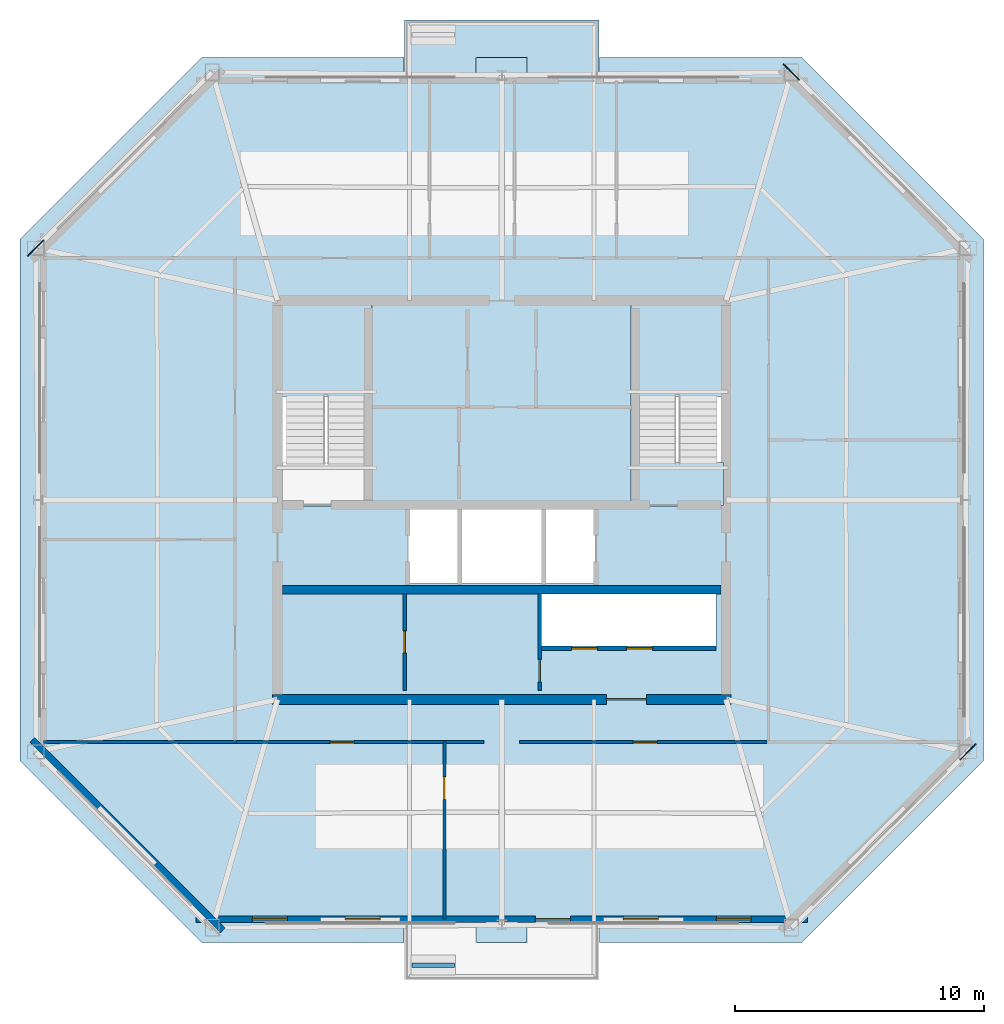
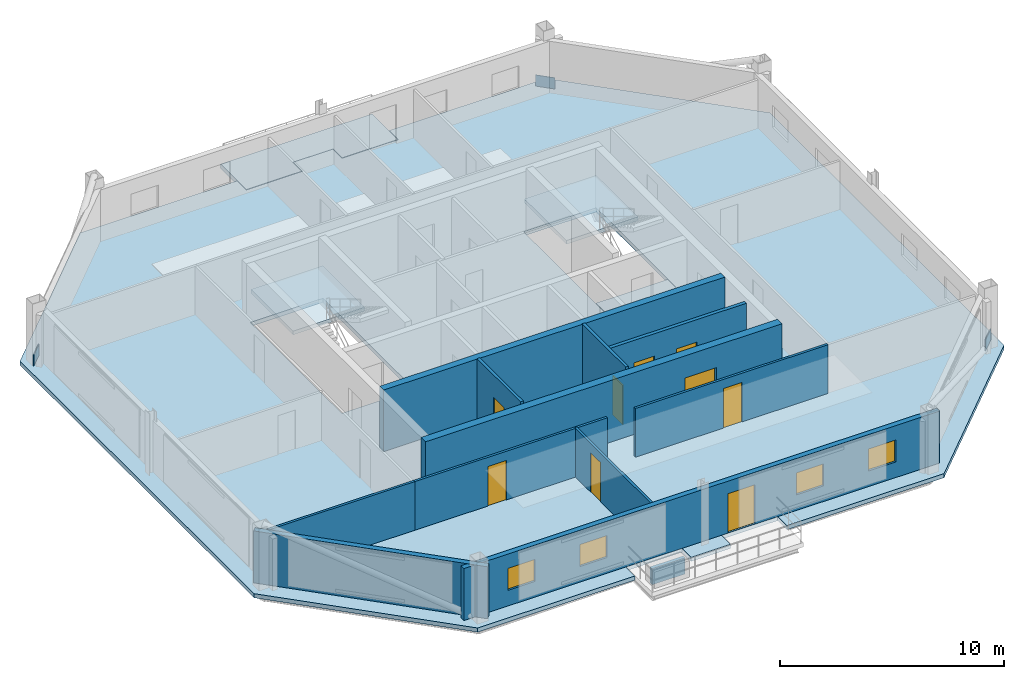
# One storey, part 2 of 7: 12 walls, 9 doors, 5 slabs, 4 windows, 3 plates, 13 openings, 2 elements without a shape of their own.
"""IFC4 building model written with IfcOpenShell, lengths in metres."""

from ifc_helpers import new_model, si_unit, direction, frame, frame_2d, origin, origin_2d, place, context, subcontext, project, spatial, polyline, rectangle, outline, extrude, material, layer, layer_set, type_object, element, fill, aggregate, save


model = new_model("IFC4")

# Units and contexts
model_context = context("Model", 3, precision=1e-05, world=origin(), true_north=direction((0.0, 1.0)))
body_context = subcontext(model_context, "Body", "Model", "MODEL_VIEW")
ifc_project = project(units=[si_unit("LENGTHUNIT", "METRE"), si_unit("AREAUNIT", "SQUARE_METRE"), si_unit("VOLUMEUNIT", "CUBIC_METRE"), si_unit("PLANEANGLEUNIT", "RADIAN"), si_unit("MASSUNIT", "GRAM", prefix="KILO")], contexts=[model_context])

# Site, building, storey
site_placement = place(None, origin())
site = spatial("IfcSite", under=ifc_project, at=site_placement, CompositionType="ELEMENT")
building_placement = place(site_placement, origin())
building = spatial("IfcBuilding", under=site, at=building_placement, Name="Caelvoria Tower", CompositionType="ELEMENT")
storey_placement = place(building_placement, frame((0.0, 0.0, 253.800048828125)))
storey = spatial("IfcBuildingStorey", under=building, at=storey_placement, Name="L67", CompositionType="ELEMENT", Elevation=253.800048828125)

# Plates
ifc_material_1 = material(Name="Structural Steel ASTM A572 Gr.50", Category="steel")
ifc_layer_1 = layer(ifc_material_1, 0.0400390625, Name="Structural Steel ASTM A572 Gr.50")
ifc_layer_set_1 = layer_set([ifc_layer_1], Name="Megaframe Node Gusset Plate 900x600x40 - Structural Steel ASTM A572 Gr.50")
plate_type = type_object("IfcPlateType", Name="Megaframe Node Gusset Plate 900x600x40", PredefinedType="USERDEFINED", material=ifc_layer_set_1)
for number, where, z_axis, x_axis, name in (
    (1, (64.702880859375, 21.887939453125, 0.02001953125), (0.0, 0.0, 1.0), (-0.708311501653, -0.705900004693, 0.0), "Chamfer Mega Brace Gusset L67 SE"),
    (2, (57.62353515625, 49.16748046875, 0.02001953125), (0.0, 0.0, 1.0), (0.708311501653, -0.705900004693, 0.0), "Chamfer Mega Brace Gusset L67 NE"),
    (3, (27.297119140625, 42.112060546875, 0.02001953125), (0.0, 0.0, 1.0), (0.708311501653, 0.705900004693, 0.0), "Chamfer Mega Brace Gusset L67 NW"),
):
    element("IfcPlate", number, at=place(storey_placement, frame(where, z_axis=z_axis, x_axis=x_axis)), inside=storey, type_object=plate_type, Name=name, ObjectType="GUSSET_PLATE", PredefinedType="USERDEFINED", context=body_context, shape_type="SweptSolid", body=[
        extrude(rectangle(XDim=0.89990234375, YDim=0.0400390625, at=origin_2d()), origin(), (0.0, 0.0, 1.0), 0.60009765625),
    ])

# Stair, slab
ifc_material_2 = material(Name="Concrete C40/50", Category="concrete")
stair_type = type_object("IfcStairType", Name="Core Smokeproof Dogleg Stair Concrete C40/50", PredefinedType="HALF_TURN_STAIR", material=ifc_material_2)
stair_1_placement = place(storey_placement, origin())
stair_1 = element("IfcStair", 4, at=stair_1_placement, inside=storey, type_object=stair_type, Name="ST-01 Smokeproof Exit Stair L67", PredefinedType="HALF_TURN_STAIR")
ifc_layer_2 = layer(ifc_material_2, 0.199951171875, Name="Concrete C40/50")
ifc_layer_set_2 = layer_set([ifc_layer_2], Name="Stair Half and Floor Landing Slab 200 Concrete C40/50 - Concrete C40/50")
slab_type_1 = type_object("IfcSlabType", Name="Stair Half and Floor Landing Slab 200 Concrete C40/50", PredefinedType="LANDING", material=ifc_layer_set_2)
slab_1_placement = place(storey_placement, frame((0.0, 0.0, 1.599853515625)))
slab_1 = element("IfcSlab", 5, at=slab_1_placement, type_object=slab_type_1, Name="ST-01 landing 2", PredefinedType="LANDING", context=body_context, shape_type="SweptSolid", body=[
    extrude(outline(polyline([(37.10009765625, 36.14990234375), (40.800048828125, 36.14990234375), (40.800048828125, 39.89990234375), (37.10009765625, 39.89990234375), (37.10009765625, 36.14990234375)])), origin(), (0.0, 0.0, 1.0), 0.2001953125),
])
aggregate(stair_1, [slab_1])

# Stair, slabs
stair_2_placement = place(storey_placement, origin())
stair_2 = element("IfcStair", 6, at=stair_2_placement, inside=storey, type_object=stair_type, Name="ST-02 Smokeproof Exit Stair L67", PredefinedType="HALF_TURN_STAIR")
slab_2_placement = place(storey_placement, frame((0.0, 0.0, -0.199951171875)))
slab_2 = element("IfcSlab", 7, at=slab_2_placement, type_object=slab_type_1, Name="ST-02 landing 1", PredefinedType="LANDING", context=body_context, shape_type="SweptSolid", body=[
    extrude(outline(polyline([(51.199951171875, 31.77001953125), (54.89990234375, 31.77001953125), (54.89990234375, 33.5), (51.199951171875, 33.5), (51.199951171875, 31.77001953125)])), origin(), (0.0, 0.0, 1.0), 0.199951171875),
])
slab_3_placement = place(storey_placement, frame((0.0, 0.0, 1.599853515625)))
slab_3 = element("IfcSlab", 8, at=slab_3_placement, type_object=slab_type_1, Name="ST-02 landing 2", PredefinedType="LANDING", context=body_context, shape_type="SweptSolid", body=[
    extrude(outline(polyline([(51.199951171875, 36.14990234375), (54.89990234375, 36.14990234375), (54.89990234375, 39.89990234375), (51.199951171875, 39.89990234375), (51.199951171875, 36.14990234375)])), origin(), (0.0, 0.0, 1.0), 0.2001953125),
])
aggregate(stair_2, [slab_2, slab_3])

# Slabs
ifc_material_3 = material(Name="Concrete C45/55", Category="concrete")
ifc_layer_3 = layer(ifc_material_3, 0.25, Name="Concrete C45/55")
ifc_layer_set_3 = layer_set([ifc_layer_3], Name="Tree Balcony Structural Planter Slab 250 - Concrete C45/55")
slab_type_2 = type_object("IfcSlabType", Name="Tree Balcony Structural Planter Slab 250", PredefinedType="FLOOR", material=ifc_layer_set_3)
slab_4_placement = place(storey_placement, frame((0.0, 0.0, -0.25)))
element("IfcSlab", 9, at=slab_4_placement, inside=storey, type_object=slab_type_2, Name="Tree Balcony Slab TB-L67-N", PredefinedType="FLOOR", context=body_context, shape_type="SweptSolid", body=[
    extrude(outline(polyline([(42.10009765625, 51.263671875), (42.10009765625, 49.763671875), (42.10009765625, 48.963623046875), (44.9599609375, 48.963623046875), (44.9599609375, 49.763671875), (47.0400390625, 49.763671875), (47.0400390625, 48.963623046875), (49.89990234375, 48.963623046875), (49.89990234375, 49.763671875), (49.89990234375, 51.263671875), (42.10009765625, 51.263671875)])), origin(), (0.0, 0.0, 1.0), 0.25),
])
ifc_layer_4 = layer(ifc_material_2, 0.22509765625, Name="Concrete C40/50")
ifc_layer_set_4 = layer_set([ifc_layer_4], Name="Upper Tower Composite Office Slab 225 - Concrete C40/50")
slab_type_3 = type_object("IfcSlabType", Name="Upper Tower Composite Office Slab 225", PredefinedType="FLOOR", material=ifc_layer_set_4)
slab_5_placement = place(storey_placement, frame((0.0, 0.0, -0.22509765625)))
element("IfcSlab", 10, at=slab_5_placement, inside=storey, type_object=slab_type_3, Name="Level L67 Structural Floor Slab", PredefinedType="FLOOR", context=body_context, shape_type="SweptSolid", body=[
    extrude(outline(polyline([(26.66357421875, 42.45458984375), (26.66357421875, 21.54541015625), (33.97265625, 14.236328125), (42.080078125, 14.236328125), (42.080078125, 15.056396484375), (44.97998046875, 15.056396484375), (44.97998046875, 14.236328125), (47.02001953125, 14.236328125), (47.02001953125, 15.056396484375), (49.919921875, 15.056396484375), (49.919921875, 14.236328125), (58.02734375, 14.236328125), (65.33642578125, 21.54541015625), (65.33642578125, 42.45458984375), (58.02734375, 49.763671875), (49.919921875, 49.763671875), (49.919921875, 48.943603515625), (47.02001953125, 48.943603515625), (47.02001953125, 49.763671875), (44.97998046875, 49.763671875), (44.97998046875, 48.943603515625), (42.080078125, 48.943603515625), (42.080078125, 49.763671875), (33.97265625, 49.763671875), (26.66357421875, 42.45458984375)]), holes=[polyline([(37.080078125, 31.75), (40.820068359375, 31.75), (40.820068359375, 39.919921875), (37.080078125, 39.919921875), (37.080078125, 31.75)]), polyline([(51.179931640625, 31.75), (54.919921875, 31.75), (54.919921875, 39.919921875), (51.179931640625, 39.919921875), (51.179931640625, 31.75)]), polyline([(42.25, 28.64990234375), (49.75, 28.64990234375), (49.75, 31.800048828125), (42.25, 31.800048828125), (42.25, 28.64990234375)]), polyline([(47.60009765625, 26.14990234375), (54.60009765625, 26.14990234375), (54.60009765625, 28.25), (47.60009765625, 28.25), (47.60009765625, 26.14990234375)])]), origin(), (0.0, 0.0, 1.0), 0.22509765625),
])

# Walls
ifc_material_4 = material(Name="Bronze-Clad Concrete C40/50", Category="concrete")
ifc_layer_5 = layer(ifc_material_4, 0.179931640625, Name="Bronze-Clad Concrete C40/50")
ifc_layer_set_5 = layer_set([ifc_layer_5], Name="Architectural Planter Kerb Wall 180 - Bronze-Clad Concrete C40/50")
wall_type_1 = type_object("IfcWallType", Name="Architectural Planter Kerb Wall 180", PredefinedType="PARAPET", material=ifc_layer_set_5)
wall_1_placement = place(storey_placement, frame((42.39990234375, 13.33642578125, 0.0), z_axis=(0.0, 0.0, 1.0), x_axis=(1.0, 0.0, 0.0)))
element("IfcWall", 11, at=wall_1_placement, inside=storey, type_object=wall_type_1, Name="Tree Balcony Planter Kerb PLANTER TB-L67-S", PredefinedType="PARAPET", context=body_context, shape_type="SweptSolid", body=[
    extrude(rectangle(XDim=1.7001953125, YDim=0.179931640625, at=frame_2d((0.85009765625, 0.0))), origin(), (0.0, 0.0, 1.0), 0.8798828125),
])
ifc_material_5 = material(Name="Concrete C50/60", Category="concrete")
ifc_layer_6 = layer(ifc_material_5, 0.35009765625, Name="Concrete C50/60")
ifc_layer_set_6 = layer_set([ifc_layer_6], Name="Core Internal Shear Wall 350 - Concrete C50/60")
wall_type_2 = type_object("IfcWallType", Name="Core Internal Shear Wall 350", PredefinedType="SHEAR", material=ifc_layer_set_6)
wall_2_placement = place(storey_placement, frame((37.199951171875, 28.39990234375, 0.0), z_axis=(0.0, 0.0, 1.0), x_axis=(1.0, 0.0, 0.0)))
element("IfcWall", 12, at=wall_2_placement, inside=storey, type_object=wall_type_2, Name="Core Shear Wall L67 M2", PredefinedType="SHEAR", context=body_context, shape_type="SweptSolid", body=[
    extrude(rectangle(XDim=17.60009765625, YDim=0.35009765625, at=frame_2d((8.800048828125, 0.0))), origin(), (0.0, 0.0, 1.0), 3.35986328125),
])

# Wall, opening, door
ifc_material_6 = material(Name="Double Gypsum Board on Steel Stud", Category="steel")
ifc_layer_7 = layer(ifc_material_6, 0.14990234375, Name="Double Gypsum Board on Steel Stud")
ifc_layer_set_7 = layer_set([ifc_layer_7], Name="Core Service Acoustic Partition Wall 150 - Double Gypsum Board on Steel Stud")
wall_type_3 = type_object("IfcWallType", Name="Core Service Acoustic Partition Wall 150", PredefinedType="PARTITIONING", material=ifc_layer_set_7)
wall_3_placement = place(storey_placement, frame((42.10009765625, 24.35009765625, 0.0), z_axis=(0.0, 0.0, 1.0), x_axis=(0.0, 1.0, 0.0)))
wall_3 = element("IfcWall", 13, at=wall_3_placement, inside=storey, type_object=wall_type_3, Name="Interior Partition IW-L67-RECL-MID", PredefinedType="PARTITIONING", context=body_context, shape_type="SweptSolid", body=[
    extrude(rectangle(XDim=3.89990234375, YDim=0.14990234375, at=frame_2d((1.949951171875, 0.0))), origin(), (0.0, 0.0, 1.0), 3.375),
])
opening_1_placement = place(wall_3_placement, frame((1.5, 0.0, 0.0)))
opening_1 = element("IfcOpeningElement", 14, at=opening_1_placement, cuts=wall_3, Name="Opening ID-06", PredefinedType="OPENING", context=body_context, shape_type="SweptSolid", body=[
    extrude(rectangle(XDim=0.89990234375, YDim=2.14990234375, at=frame_2d((0.449951171875, 1.074951171875))), frame((0.0, 0.0849609375, 0.0), z_axis=(0.0, -1.0, 0.0), x_axis=(1.0, 0.0, 0.0)), (0.0, 0.0, 1.0), 0.169921875),
])
ifc_material_7 = material(Name="Engineered Andean Oak Veneer Door", Category="wood")
door_type_1 = type_object("IfcDoorType", Name="Interior Timber Door 900x2150", OperationType="NOTDEFINED", PredefinedType="DOOR", material=ifc_material_7)
door_1_placement = place(opening_1_placement, origin())
door_1 = element("IfcDoor", 15, at=door_1_placement, inside=storey, type_object=door_type_1, Name="Interior Door DR-L67-RECL12", OperationType="SINGLE_SWING_LEFT", OverallHeight=2.14990234375, OverallWidth=0.89990234375, PredefinedType="DOOR", context=body_context, shape_type="SweptSolid", body=[
    extrude(rectangle(XDim=0.89990234375, YDim=2.14990234375, at=frame_2d((0.449951171875, 1.074951171875))), frame((0.0, 0.02490234375, 0.0), z_axis=(0.0, -1.0, 0.0), x_axis=(1.0, 0.0, 0.0)), (0.0, 0.0, 1.0), 0.050048828125),
])
fill(opening_1, door_1)

wall_4_placement = place(storey_placement, frame((47.52001953125, 24.35009765625, 0.0), z_axis=(0.0, 0.0, 1.0), x_axis=(0.0, 1.0, 0.0)))
wall_4 = element("IfcWall", 16, at=wall_4_placement, inside=storey, type_object=wall_type_3, Name="Interior Partition IW-L67-RECL2E", PredefinedType="PARTITIONING", context=body_context, shape_type="SweptSolid", body=[
    extrude(rectangle(XDim=3.89990234375, YDim=0.14990234375, at=frame_2d((1.949951171875, 0.0))), origin(), (0.0, 0.0, 1.0), 3.375),
])
opening_2_placement = place(wall_4_placement, frame((0.35009765625, 0.0, 0.0)))
opening_2 = element("IfcOpeningElement", 17, at=opening_2_placement, cuts=wall_4, Name="Opening ID-04", PredefinedType="OPENING", context=body_context, shape_type="SweptSolid", body=[
    extrude(rectangle(XDim=0.89990234375, YDim=2.14990234375, at=frame_2d((0.449951171875, 1.074951171875))), frame((0.0, 0.0849609375, 0.0), z_axis=(0.0, -1.0, 0.0), x_axis=(1.0, 0.0, 0.0)), (0.0, 0.0, 1.0), 0.169921875),
])
ifc_material_8 = material(Name="Acoustic Timber Fire Door", Category="wood")
door_type_2 = type_object("IfcDoorType", Name="Fire Door FD30S 900x2150", OperationType="NOTDEFINED", PredefinedType="DOOR", material=ifc_material_8)
door_2_placement = place(opening_2_placement, origin())
door_2 = element("IfcDoor", 18, at=door_2_placement, inside=storey, type_object=door_type_2, Name="Interior Door DR-L67-RECL2", OperationType="SINGLE_SWING_RIGHT", OverallHeight=2.14990234375, OverallWidth=0.89990234375, PredefinedType="DOOR", context=body_context, shape_type="SweptSolid", body=[
    extrude(rectangle(XDim=0.89990234375, YDim=2.14990234375, at=frame_2d((0.449951171875, 1.074951171875))), frame((0.0, 0.02490234375, 0.0), z_axis=(0.0, -1.0, 0.0), x_axis=(1.0, 0.0, 0.0)), (0.0, 0.0, 1.0), 0.050048828125),
])
fill(opening_2, door_2)

# Wall, openings, doors
ifc_material_9 = material(Name="Concrete Block and Fireboard Assembly", Category="concrete")
ifc_layer_8 = layer(ifc_material_9, 0.179931640625, Name="Concrete Block and Fireboard Assembly")
ifc_layer_set_8 = layer_set([ifc_layer_8], Name="Fire-Rated Hoistway Partition Wall 180 - Concrete Block and Fireboard Assembly")
wall_type_4 = type_object("IfcWallType", Name="Fire-Rated Hoistway Partition Wall 180", PredefinedType="PARTITIONING", material=ifc_layer_set_8)
wall_5_placement = place(storey_placement, frame((47.60009765625, 26.050048828125, 0.0), z_axis=(0.0, 0.0, 1.0), x_axis=(1.0, 0.0, 0.0)))
wall_5 = element("IfcWall", 19, at=wall_5_placement, inside=storey, type_object=wall_type_4, Name="Interior Partition IW-L67-LFRONT", PredefinedType="PARTITIONING", context=body_context, shape_type="SweptSolid", body=[
    extrude(rectangle(XDim=7.0, YDim=0.179931640625, at=frame_2d((3.5, 0.0))), origin(), (0.0, 0.0, 1.0), 3.375),
])
opening_3_placement = place(wall_5_placement, frame((1.199951171875, 0.0, 0.0)))
opening_3 = element("IfcOpeningElement", 20, at=opening_3_placement, cuts=wall_5, Name="Opening LD-01", PredefinedType="OPENING", context=body_context, shape_type="SweptSolid", body=[
    extrude(rectangle(XDim=1.050048828125, YDim=2.14990234375, at=frame_2d((0.52490234375, 1.074951171875))), frame((0.0, 0.099853515625, 0.0), z_axis=(0.0, -1.0, 0.0), x_axis=(1.0, 0.0, 0.0)), (0.0, 0.0, 1.0), 0.199951171875),
])
opening_4_placement = place(wall_5_placement, frame((3.39990234375, 0.0, 0.0)))
opening_4 = element("IfcOpeningElement", 21, at=opening_4_placement, cuts=wall_5, Name="Opening LD-01", PredefinedType="OPENING", context=body_context, shape_type="SweptSolid", body=[
    extrude(rectangle(XDim=1.050048828125, YDim=2.14990234375, at=frame_2d((0.52490234375, 1.074951171875))), frame((0.0, 0.099853515625, 0.0), z_axis=(0.0, -1.0, 0.0), x_axis=(1.0, 0.0, 0.0)), (0.0, 0.0, 1.0), 0.199951171875),
])
ifc_material_10 = material(Name="Brushed Bronze Stainless Sliding Landing Door", Category="aluminium")
door_type_3 = type_object("IfcDoorType", Name="Lift Landing Sliding Door 1100x2150", OperationType="NOTDEFINED", PredefinedType="DOOR", material=ifc_material_10)
door_3_placement = place(opening_3_placement, origin())
door_3 = element("IfcDoor", 22, at=door_3_placement, inside=storey, type_object=door_type_3, Name="Interior Door LD-L67-PH1", OperationType="SLIDING_TO_LEFT", OverallHeight=2.14990234375, OverallWidth=1.050048828125, PredefinedType="DOOR", context=body_context, shape_type="SweptSolid", body=[
    extrude(rectangle(XDim=1.050048828125, YDim=2.14990234375, at=frame_2d((0.52490234375, 1.074951171875))), frame((0.0, 0.02490234375, 0.0), z_axis=(0.0, -1.0, 0.0), x_axis=(1.0, 0.0, 0.0)), (0.0, 0.0, 1.0), 0.050048828125),
])
fill(opening_3, door_3)
door_4_placement = place(opening_4_placement, origin())
door_4 = element("IfcDoor", 23, at=door_4_placement, inside=storey, type_object=door_type_3, Name="Interior Door LD-L67-PH2", OperationType="SLIDING_TO_RIGHT", OverallHeight=2.14990234375, OverallWidth=1.050048828125, PredefinedType="DOOR", context=body_context, shape_type="SweptSolid", body=[
    extrude(rectangle(XDim=1.050048828125, YDim=2.14990234375, at=frame_2d((0.52490234375, 1.074951171875))), frame((0.0, 0.02490234375, 0.0), z_axis=(0.0, -1.0, 0.0), x_axis=(1.0, 0.0, 0.0)), (0.0, 0.0, 1.0), 0.050048828125),
])
fill(opening_4, door_4)

# Wall, opening, door
ifc_layer_9 = layer(ifc_material_5, 0.39990234375, Name="Concrete C50/60")
ifc_layer_set_9 = layer_set([ifc_layer_9], Name="Summit Core Shear Wall 400 - Concrete C50/60")
wall_type_5 = type_object("IfcWallType", Name="Summit Core Shear Wall 400", PredefinedType="SHEAR", material=ifc_layer_set_9)
wall_6_placement = place(storey_placement, frame((36.800048828125, 24.0, 0.0), z_axis=(0.0, 0.0, 1.0), x_axis=(1.0, 0.0, 0.0)))
wall_6 = element("IfcWall", 24, at=wall_6_placement, inside=storey, type_object=wall_type_5, Name="Core Shear Wall L67 S", PredefinedType="SHEAR", context=body_context, shape_type="SweptSolid", body=[
    extrude(rectangle(XDim=18.39990234375, YDim=0.39990234375, at=frame_2d((9.199951171875, 0.0))), origin(), (0.0, 0.0, 1.0), 3.35986328125),
])
opening_5_placement = place(wall_6_placement, frame((13.39990234375, 0.0, 0.0)))
opening_5 = element("IfcOpeningElement", 25, at=opening_5_placement, cuts=wall_6, Name="Opening ID-08", PredefinedType="OPENING", context=body_context, shape_type="SweptSolid", body=[
    extrude(rectangle(XDim=1.60009765625, YDim=2.14990234375, at=frame_2d((0.800048828125, 1.074951171875))), frame((0.0, 0.2099609375, 0.0), z_axis=(0.0, -1.0, 0.0), x_axis=(1.0, 0.0, 0.0)), (0.0, 0.0, 1.0), 0.419921875),
])
ifc_material_11 = material(Name="Bronze-Framed Fire-Rated Glazed Double Door", Category="aluminium")
door_type_4 = type_object("IfcDoorType", Name="Double Lobby Glazed Door 1600x2200", OperationType="NOTDEFINED", PredefinedType="DOOR", material=ifc_material_11)
door_5_placement = place(opening_5_placement, origin())
door_5 = element("IfcDoor", 26, at=door_5_placement, inside=storey, type_object=door_type_4, Name="Core Door DR-L67-LLOB-S2", OperationType="DOUBLE_DOOR_SINGLE_SWING", OverallHeight=2.14990234375, OverallWidth=1.60009765625, PredefinedType="DOOR", context=body_context, shape_type="SweptSolid", body=[
    extrude(rectangle(XDim=1.60009765625, YDim=2.14990234375, at=frame_2d((0.800048828125, 1.074951171875))), frame((0.0, 0.02490234375, 0.0), z_axis=(0.0, -1.0, 0.0), x_axis=(1.0, 0.0, 0.0)), (0.0, 0.0, 1.0), 0.050048828125),
])
fill(opening_5, door_5)

ifc_material_12 = material(Name="Acoustic Gypsum Board on Light-Gauge Stud", Category="gypsum")
ifc_layer_10 = layer(ifc_material_12, 0.1201171875, Name="Acoustic Gypsum Board on Light-Gauge Stud")
ifc_layer_set_10 = layer_set([ifc_layer_10], Name="Tenant Suite Acoustic Partition Wall 120 - Acoustic Gypsum Board on Light-Gauge Stud")
wall_type_6 = type_object("IfcWallType", Name="Tenant Suite Acoustic Partition Wall 120", PredefinedType="PARTITIONING", material=ifc_layer_set_10)
wall_7_placement = place(storey_placement, frame((43.693115234375, 22.2900390625, 0.0), z_axis=(0.0, 0.0, 1.0), x_axis=(0.0, -1.0, 0.0)))
wall_7 = element("IfcWall", 27, at=wall_7_placement, inside=storey, type_object=wall_type_6, Name="Interior Partition IW-L67-SD-00-0", PredefinedType="PARTITIONING", context=body_context, shape_type="SweptSolid", body=[
    extrude(rectangle(XDim=7.113525390625, YDim=0.1201171875, at=frame_2d((3.556640625, 0.0))), origin(), (0.0, 0.0, 1.0), 2.655029296875),
])
opening_6_placement = place(wall_7_placement, frame((1.39990234375, 0.0, 0.0)))
opening_6 = element("IfcOpeningElement", 28, at=opening_6_placement, cuts=wall_7, Name="Opening ID-06", PredefinedType="OPENING", context=body_context, shape_type="SweptSolid", body=[
    extrude(rectangle(XDim=0.89990234375, YDim=2.14990234375, at=frame_2d((0.449951171875, 1.074951171875))), frame((0.0, 0.070068359375, 0.0), z_axis=(0.0, -1.0, 0.0), x_axis=(1.0, 0.0, 0.0)), (0.0, 0.0, 1.0), 0.14013671875),
])
door_6_placement = place(opening_6_placement, origin())
door_6 = element("IfcDoor", 29, at=door_6_placement, inside=storey, type_object=door_type_1, Name="Interior Door DR-L67-SM-00-0", OperationType="SINGLE_SWING_RIGHT", OverallHeight=2.14990234375, OverallWidth=0.89990234375, PredefinedType="DOOR", context=body_context, shape_type="SweptSolid", body=[
    extrude(rectangle(XDim=0.89990234375, YDim=2.14990234375, at=frame_2d((0.449951171875, 1.074951171875))), frame((0.0, 0.02490234375, 0.0), z_axis=(0.0, -1.0, 0.0), x_axis=(1.0, 0.0, 0.0)), (0.0, 0.0, 1.0), 0.050048828125),
])
fill(opening_6, door_6)

wall_8_placement = place(storey_placement, frame((35.35009765625, 22.2900390625, 0.0), z_axis=(0.0, 0.0, 1.0), x_axis=(1.0, 0.0, 0.0)))
wall_8 = element("IfcWall", 30, at=wall_8_placement, inside=storey, type_object=wall_type_6, Name="Interior Partition IW-L67-SCW-0", PredefinedType="PARTITIONING", context=body_context, shape_type="SweptSolid", body=[
    extrude(rectangle(XDim=9.929931640625, YDim=0.1201171875, at=frame_2d((4.96484375, 0.0))), origin(), (0.0, 0.0, 1.0), 2.655029296875),
])
opening_7_placement = place(wall_8_placement, frame((3.7666015625, 0.0, 0.0)))
opening_7 = element("IfcOpeningElement", 31, at=opening_7_placement, cuts=wall_8, Name="Opening ID-05", PredefinedType="OPENING", context=body_context, shape_type="SweptSolid", body=[
    extrude(rectangle(XDim=0.949951171875, YDim=2.14990234375, at=frame_2d((0.47509765625, 1.074951171875))), frame((0.0, 0.070068359375, 0.0), z_axis=(0.0, -1.0, 0.0), x_axis=(1.0, 0.0, 0.0)), (0.0, 0.0, 1.0), 0.14013671875),
])
door_type_5 = type_object("IfcDoorType", Name="Interior Timber Door 950x2150", OperationType="NOTDEFINED", PredefinedType="DOOR", material=ifc_material_7)
door_7_placement = place(opening_7_placement, origin())
door_7 = element("IfcDoor", 32, at=door_7_placement, inside=storey, type_object=door_type_5, Name="Interior Door DR-L67-SC-00-0", OperationType="SINGLE_SWING_RIGHT", OverallHeight=2.14990234375, OverallWidth=0.949951171875, PredefinedType="DOOR", context=body_context, shape_type="SweptSolid", body=[
    extrude(rectangle(XDim=0.949951171875, YDim=2.14990234375, at=frame_2d((0.47509765625, 1.074951171875))), frame((0.0, 0.02490234375, 0.0), z_axis=(0.0, -1.0, 0.0), x_axis=(1.0, 0.0, 0.0)), (0.0, 0.0, 1.0), 0.050048828125),
])
fill(opening_7, door_7)

wall_9_placement = place(storey_placement, frame((46.719970703125, 22.2900390625, 0.0), z_axis=(0.0, 0.0, 1.0), x_axis=(1.0, 0.0, 0.0)))
wall_9 = element("IfcWall", 33, at=wall_9_placement, inside=storey, type_object=wall_type_6, Name="Interior Partition IW-L67-SCW-1", PredefinedType="PARTITIONING", context=body_context, shape_type="SweptSolid", body=[
    extrude(rectangle(XDim=9.929931640625, YDim=0.1201171875, at=frame_2d((4.96484375, 0.0))), origin(), (0.0, 0.0, 1.0), 2.655029296875),
])
opening_8_placement = place(wall_9_placement, frame((4.554931640625, 0.0, 0.0)))
opening_8 = element("IfcOpeningElement", 34, at=opening_8_placement, cuts=wall_9, Name="Opening ID-05", PredefinedType="OPENING", context=body_context, shape_type="SweptSolid", body=[
    extrude(rectangle(XDim=0.949951171875, YDim=2.14990234375, at=frame_2d((0.47509765625, 1.074951171875))), frame((0.0, 0.070068359375, 0.0), z_axis=(0.0, -1.0, 0.0), x_axis=(1.0, 0.0, 0.0)), (0.0, 0.0, 1.0), 0.14013671875),
])
door_8_placement = place(opening_8_placement, origin())
door_8 = element("IfcDoor", 35, at=door_8_placement, inside=storey, type_object=door_type_5, Name="Interior Door DR-L67-SC-01-0", OperationType="SINGLE_SWING_LEFT", OverallHeight=2.14990234375, OverallWidth=0.949951171875, PredefinedType="DOOR", context=body_context, shape_type="SweptSolid", body=[
    extrude(rectangle(XDim=0.949951171875, YDim=2.14990234375, at=frame_2d((0.47509765625, 1.074951171875))), frame((0.0, 0.02490234375, 0.0), z_axis=(0.0, -1.0, 0.0), x_axis=(1.0, 0.0, 0.0)), (0.0, 0.0, 1.0), 0.050048828125),
])
fill(opening_8, door_8)

# Wall
wall_10_placement = place(storey_placement, frame((35.35009765625, 22.2900390625, 0.0), z_axis=(0.0, 0.0, 1.0), x_axis=(-1.0, 0.0, 0.0)))
element("IfcWall", 36, at=wall_10_placement, inside=storey, type_object=wall_type_6, Name="Interior Partition IW-L67-BSW-0", PredefinedType="PARTITIONING", context=body_context, shape_type="SweptSolid", body=[
    extrude(rectangle(XDim=7.74658203125, YDim=0.1201171875, at=frame_2d((3.873291015625, 0.0))), origin(), (0.0, 0.0, 1.0), 2.655029296875),
])

# Wall, openings, windows, door
ifc_material_13 = material(Name="Precast Concrete C40/50 with Bronze Cladding", Category="concrete")
ifc_layer_11 = layer(ifc_material_13, 0.264892578125, Name="Precast Concrete C40/50 with Bronze Cladding")
ifc_layer_set_11 = layer_set([ifc_layer_11], Name="Upper Taper Precast Concrete C40/50 Bronze Facade Wall 265 - Precast Concrete C40/50 with Bronze Cladding")
wall_type_7 = type_object("IfcWallType", Name="Upper Taper Precast Concrete C40/50 Bronze Facade Wall 265", PredefinedType="STANDARD", material=ifc_layer_set_11)
wall_11_placement = place(storey_placement, frame((33.732666015625, 15.176513671875, 0.0), z_axis=(0.0, 0.0, 1.0), x_axis=(1.0, 0.0, 0.0)))
wall_11 = element("IfcWall", 37, at=wall_11_placement, inside=storey, type_object=wall_type_7, Name="Exterior Facade Wall L67-E0", PredefinedType="STANDARD", context=body_context, shape_type="SweptSolid", body=[
    extrude(rectangle(XDim=24.53466796875, YDim=0.264892578125, at=frame_2d((12.267333984375, 0.0))), origin(), (0.0, 0.0, 1.0), 2.83203125),
])
opening_9_placement = place(wall_11_placement, frame((13.6171875, 0.0, 0.0)))
opening_9 = element("IfcOpeningElement", 38, at=opening_9_placement, cuts=wall_11, Name="Opening ED-04", PredefinedType="OPENING", context=body_context, shape_type="SweptSolid", body=[
    extrude(rectangle(XDim=1.39990234375, YDim=2.14990234375, at=frame_2d((0.699951171875, 1.074951171875))), frame((0.0, 0.142333984375, 0.0), z_axis=(0.0, -1.0, 0.0), x_axis=(1.0, 0.0, 0.0)), (0.0, 0.0, 1.0), 0.284912109375),
])
opening_10_placement = place(wall_11_placement, frame((2.26123046875, 0.0, 0.85009765625)))
opening_10 = element("IfcOpeningElement", 39, at=opening_10_placement, cuts=wall_11, Name="Opening WN-06", PredefinedType="OPENING", context=body_context, shape_type="SweptSolid", body=[
    extrude(rectangle(XDim=1.39990234375, YDim=1.199951171875, at=frame_2d((0.699951171875, 0.60009765625))), frame((0.0, 0.142333984375, 0.0), z_axis=(0.0, -1.0, 0.0), x_axis=(1.0, 0.0, 0.0)), (0.0, 0.0, 1.0), 0.284912109375),
])
opening_11_placement = place(wall_11_placement, frame((5.983642578125, 0.0, 0.85009765625)))
opening_11 = element("IfcOpeningElement", 40, at=opening_11_placement, cuts=wall_11, Name="Opening WN-06", PredefinedType="OPENING", context=body_context, shape_type="SweptSolid", body=[
    extrude(rectangle(XDim=1.39990234375, YDim=1.199951171875, at=frame_2d((0.699951171875, 0.60009765625))), frame((0.0, 0.142333984375, 0.0), z_axis=(0.0, -1.0, 0.0), x_axis=(1.0, 0.0, 0.0)), (0.0, 0.0, 1.0), 0.284912109375),
])
opening_12_placement = place(wall_11_placement, frame((17.15087890625, 0.0, 0.85009765625)))
opening_12 = element("IfcOpeningElement", 41, at=opening_12_placement, cuts=wall_11, Name="Opening WN-06", PredefinedType="OPENING", context=body_context, shape_type="SweptSolid", body=[
    extrude(rectangle(XDim=1.39990234375, YDim=1.199951171875, at=frame_2d((0.699951171875, 0.60009765625))), frame((0.0, 0.142333984375, 0.0), z_axis=(0.0, -1.0, 0.0), x_axis=(1.0, 0.0, 0.0)), (0.0, 0.0, 1.0), 0.284912109375),
])
opening_13_placement = place(wall_11_placement, frame((20.873291015625, 0.0, 0.85009765625)))
opening_13 = element("IfcOpeningElement", 42, at=opening_13_placement, cuts=wall_11, Name="Opening WN-06", PredefinedType="OPENING", context=body_context, shape_type="SweptSolid", body=[
    extrude(rectangle(XDim=1.39990234375, YDim=1.199951171875, at=frame_2d((0.699951171875, 0.60009765625))), frame((0.0, 0.142333984375, 0.0), z_axis=(0.0, -1.0, 0.0), x_axis=(1.0, 0.0, 0.0)), (0.0, 0.0, 1.0), 0.284912109375),
])
ifc_material_14 = material(Name="Low-E Tinted Glass in Bronze Aluminium Frame", Category="aluminium")
window_type = type_object("IfcWindowType", Name="Podium Clerestory Window 1400x1200", PartitioningType="SINGLE_PANEL", PredefinedType="WINDOW", material=ifc_material_14)
window_1_placement = place(opening_10_placement, origin())
window_1 = element("IfcWindow", 43, at=window_1_placement, inside=storey, type_object=window_type, Name="Facade Window L67-E0-00", OverallHeight=1.199951171875, OverallWidth=1.39990234375, PartitioningType="SINGLE_PANEL", PredefinedType="WINDOW", context=body_context, shape_type="SweptSolid", body=[
    extrude(rectangle(XDim=1.39990234375, YDim=1.199951171875, at=frame_2d((0.699951171875, 0.60009765625))), frame((0.0, 0.030029296875, 0.0), z_axis=(0.0, -1.0, 0.0), x_axis=(1.0, 0.0, 0.0)), (0.0, 0.0, 1.0), 0.06005859375),
])
fill(opening_10, window_1)
window_2_placement = place(opening_11_placement, origin())
window_2 = element("IfcWindow", 44, at=window_2_placement, inside=storey, type_object=window_type, Name="Facade Window L67-E0-01", OverallHeight=1.199951171875, OverallWidth=1.39990234375, PartitioningType="SINGLE_PANEL", PredefinedType="WINDOW", context=body_context, shape_type="SweptSolid", body=[
    extrude(rectangle(XDim=1.39990234375, YDim=1.199951171875, at=frame_2d((0.699951171875, 0.60009765625))), frame((0.0, 0.030029296875, 0.0), z_axis=(0.0, -1.0, 0.0), x_axis=(1.0, 0.0, 0.0)), (0.0, 0.0, 1.0), 0.06005859375),
])
fill(opening_11, window_2)
window_3_placement = place(opening_12_placement, origin())
window_3 = element("IfcWindow", 45, at=window_3_placement, inside=storey, type_object=window_type, Name="Facade Window L67-E0-04", OverallHeight=1.199951171875, OverallWidth=1.39990234375, PartitioningType="SINGLE_PANEL", PredefinedType="WINDOW", context=body_context, shape_type="SweptSolid", body=[
    extrude(rectangle(XDim=1.39990234375, YDim=1.199951171875, at=frame_2d((0.699951171875, 0.60009765625))), frame((0.0, 0.030029296875, 0.0), z_axis=(0.0, -1.0, 0.0), x_axis=(1.0, 0.0, 0.0)), (0.0, 0.0, 1.0), 0.06005859375),
])
fill(opening_12, window_3)
window_4_placement = place(opening_13_placement, origin())
window_4 = element("IfcWindow", 46, at=window_4_placement, inside=storey, type_object=window_type, Name="Facade Window L67-E0-05", OverallHeight=1.199951171875, OverallWidth=1.39990234375, PartitioningType="SINGLE_PANEL", PredefinedType="WINDOW", context=body_context, shape_type="SweptSolid", body=[
    extrude(rectangle(XDim=1.39990234375, YDim=1.199951171875, at=frame_2d((0.699951171875, 0.60009765625))), frame((0.0, 0.030029296875, 0.0), z_axis=(0.0, -1.0, 0.0), x_axis=(1.0, 0.0, 0.0)), (0.0, 0.0, 1.0), 0.06005859375),
])
fill(opening_13, window_4)
ifc_material_15 = material(Name="Anodised Bronze Aluminium and Laminated Glass", Category="aluminium")
door_type_6 = type_object("IfcDoorType", Name="Tree Balcony Glazed Door 1400x2150", OperationType="NOTDEFINED", PredefinedType="DOOR", material=ifc_material_15)
door_9_placement = place(opening_9_placement, origin())
door_9 = element("IfcDoor", 47, at=door_9_placement, inside=storey, type_object=door_type_6, Name="Tree Balcony Door L67-S", OperationType="SINGLE_SWING_RIGHT", OverallHeight=2.14990234375, OverallWidth=1.39990234375, PredefinedType="DOOR", context=body_context, shape_type="SweptSolid", body=[
    extrude(rectangle(XDim=1.39990234375, YDim=2.14990234375, at=frame_2d((0.699951171875, 1.074951171875))), frame((0.0, 0.02490234375, 0.0), z_axis=(0.0, -1.0, 0.0), x_axis=(1.0, 0.0, 0.0)), (0.0, 0.0, 1.0), 0.050048828125),
])
fill(opening_9, door_9)

# Wall
wall_12_placement = place(storey_placement, frame((27.15869140625, 22.3798828125, 0.0), z_axis=(0.0, 0.0, 1.0), x_axis=(0.707106781187, -0.707106781187, 0.0)))
element("IfcWall", 48, at=wall_12_placement, inside=storey, type_object=wall_type_7, Name="Exterior Facade Wall L67-E7", PredefinedType="STANDARD", context=body_context, shape_type="SweptSolid", body=[
    extrude(rectangle(XDim=10.81640625, YDim=0.264892578125, at=frame_2d((5.408203125, 0.0))), origin(), (0.0, 0.0, 1.0), 2.83203125),
])

save(model, "model.ifc")
